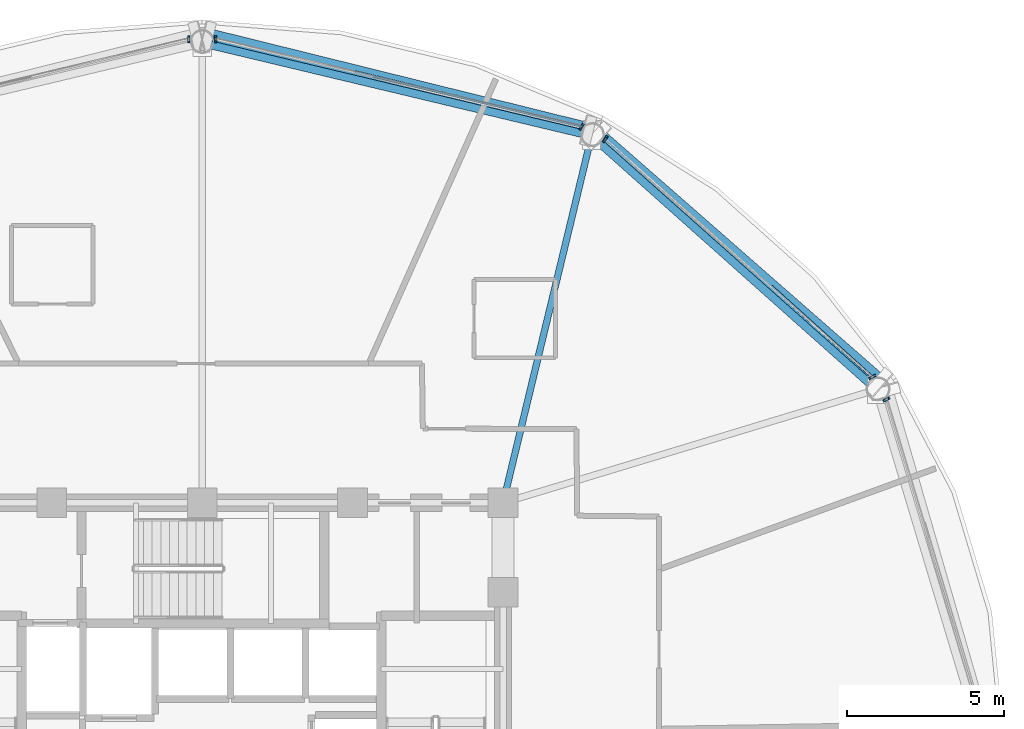
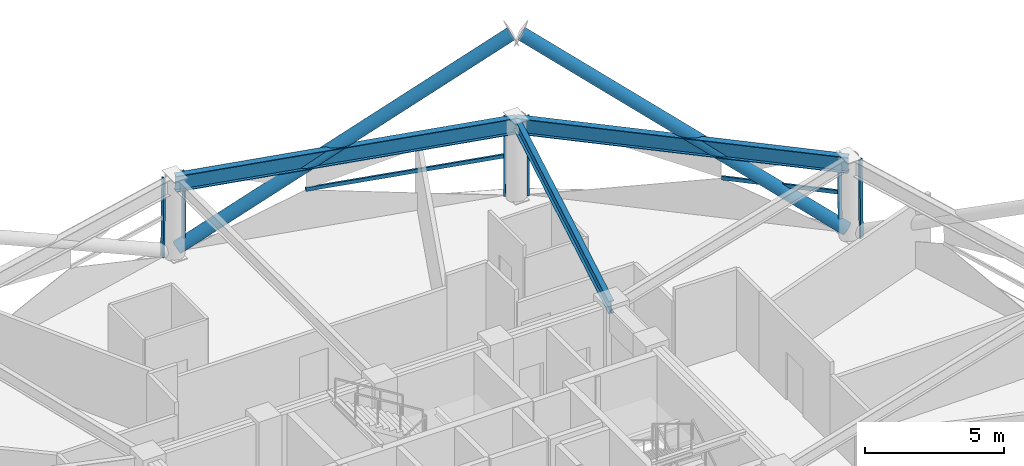
# One storey, part 7 of 17: 10 members, 3 beams, 4 elements without a shape of their own.
"""IFC4 building model written with IfcOpenShell, lengths in metres."""

import ifcopenshell
import ifcopenshell.guid

model = None  # the IFC model being written
_history = None  # IfcOwnerHistory: only IFC2X3 demands one
_inside = {}  # id of a spatial element -> (the spatial element, [elements in it])
_under = {}  # id of a project, library or spatial element -> (it, [spatial elements below it])
_declared = {}  # id of a project -> (the project, [libraries it declares])
_typed = {}  # id of a type object -> (the type object, [elements of that type])
_made_of = {}  # id of a material, layer set ... -> (it, [elements and type objects made of it])


def new_model(schema):
    """Start an empty IFC model of exactly this schema.

    Asked for "IFC4X3", IfcOpenShell would pick the latest addendum, in which some entities
    have other attributes; the version numbers below select the first issue.
    IFC2X3 requires an IfcOwnerHistory on every rooted entity: one is made here for all.
    """
    global model, _history
    if schema == "IFC4X3":
        model = ifcopenshell.file(schema_version=(4, 3, 0, 0))
    else:
        model = ifcopenshell.file(schema=schema)
    _inside.clear()
    _under.clear()
    _declared.clear()
    _typed.clear()
    _made_of.clear()
    _history = None
    if model.schema == "IFC2X3":
        org = make("IfcOrganization", Name="unknown")
        user = make(
            "IfcPersonAndOrganization",
            ThePerson=make("IfcPerson", FamilyName="unknown"),
            TheOrganization=org,
        )
        app = make(
            "IfcApplication",
            ApplicationDeveloper=org,
            Version="unknown",
            ApplicationFullName="unknown",
            ApplicationIdentifier="unknown",
        )
        _history = make(
            "IfcOwnerHistory",
            OwningUser=user,
            OwningApplication=app,
            ChangeAction="ADDED",
            CreationDate=0,
        )
    return model


def make(cls, **values):
    """One entity of the class cls with the attributes given. An attribute that is None is left unset."""
    return model.create_entity(
        cls, **{name: value for name, value in values.items() if value is not None}
    )


def rooted(cls, **values):
    """An entity with a GlobalId (a new one), such as an element, a storey or a relation."""
    return make(cls, GlobalId=ifcopenshell.guid.new(), OwnerHistory=_history, **values)


def si_unit(unit_type, name, prefix=None):
    """IfcSIUnit, for example si_unit("LENGTHUNIT", "METRE", prefix="MILLI")."""
    return make("IfcSIUnit", UnitType=unit_type, Prefix=prefix, Name=name)


def assignment(units):
    """IfcUnitAssignment: the units of a project."""
    return None if units is None else make("IfcUnitAssignment", Units=units)


def point(xyz):
    """IfcCartesianPoint."""
    return None if xyz is None else make("IfcCartesianPoint", Coordinates=xyz)


def direction(xyz):
    """IfcDirection."""
    return None if xyz is None else make("IfcDirection", DirectionRatios=xyz)


def frame(location, z_axis=None, x_axis=None):
    """IfcAxis2Placement3D, a coordinate frame: its origin and axes. An axis left out is left unset."""
    return make(
        "IfcAxis2Placement3D",
        Location=point(location),
        Axis=direction(z_axis),
        RefDirection=direction(x_axis),
    )


def frame_2d(location, x_axis=None):
    """IfcAxis2Placement2D, a coordinate frame in the plane: its origin and x axis."""
    return make(
        "IfcAxis2Placement2D", Location=point(location), RefDirection=direction(x_axis)
    )


def origin():
    """The frame at (0, 0, 0) with its axes left unset."""
    return frame((0.0, 0.0, 0.0))


def origin_2d():
    """The frame at (0, 0) in the plane with its x axis left unset."""
    return frame_2d((0.0, 0.0))


def place(relative_to, where):
    """IfcLocalPlacement: puts the frame where relative to a parent placement (None: the world)."""
    return make(
        "IfcLocalPlacement", PlacementRelTo=relative_to, RelativePlacement=where
    )


def context(
    kind, dimensions, precision=None, world=None, true_north=None, identifier=None
):
    """IfcGeometricRepresentationContext, for example the 3D "Model" context."""
    return make(
        "IfcGeometricRepresentationContext",
        ContextIdentifier=identifier,
        ContextType=kind,
        CoordinateSpaceDimension=dimensions,
        Precision=precision,
        WorldCoordinateSystem=world,
        TrueNorth=true_north,
    )


def subcontext(parent, identifier, kind, view, scale=None):
    """IfcGeometricRepresentationSubContext, for example "Body" below "Model"."""
    return make(
        "IfcGeometricRepresentationSubContext",
        ContextIdentifier=identifier,
        ContextType=kind,
        ParentContext=parent,
        TargetScale=scale,
        TargetView=view,
    )


def project(units=None, contexts=None):
    """IfcProject with its units and contexts."""
    return rooted(
        "IfcProject",
        Name="project",
        RepresentationContexts=contexts,
        UnitsInContext=assignment(units),
    )


def spatial(cls, under=None, at=None, **own):
    """A site, building, storey or space (cls), placed at a placement, below another one or the project."""
    s = rooted(cls, ObjectPlacement=at, **own)
    if under is not None:
        _under.setdefault(under.id(), (under, []))[1].append(s)
    return s


def profile(cls, at=None, kind="AREA", **sizes):
    """A parametric profile (cls). Its sizes go by their IFC names, for example OverallWidth=200.0."""
    return make(cls, ProfileType=kind, Position=at, **sizes)


def hollow_rectangle(**sizes):
    """IfcRectangleHollowProfileDef."""
    return profile("IfcRectangleHollowProfileDef", **sizes)


def hollow_circle(**sizes):
    """IfcCircleHollowProfileDef."""
    return profile("IfcCircleHollowProfileDef", **sizes)


def i_section(**sizes):
    """IfcIShapeProfileDef."""
    return profile("IfcIShapeProfileDef", **sizes)


def extrude(swept, where, along, depth):
    """IfcExtrudedAreaSolid: the profile swept, set in the frame where, extruded along a direction by depth."""
    return make(
        "IfcExtrudedAreaSolid",
        SweptArea=swept,
        Position=where,
        ExtrudedDirection=direction(along),
        Depth=depth,
    )


def shape(context_of_items, identifier, shape_type, items):
    """IfcShapeRepresentation: the items that make up one representation, for example the "Body"."""
    return make(
        "IfcShapeRepresentation",
        ContextOfItems=context_of_items,
        RepresentationIdentifier=identifier,
        RepresentationType=shape_type,
        Items=items,
    )


def material(Name=None, Category=None):
    """IfcMaterial."""
    return make("IfcMaterial", Name=Name, Category=Category)


def layer(
    of_material, thickness, ventilated=None, Name=None, Category=None, Priority=None
):
    """IfcMaterialLayer: one layer of a wall or slab, of a material (None: an air gap)."""
    return make(
        "IfcMaterialLayer",
        Material=of_material,
        LayerThickness=thickness,
        IsVentilated=ventilated,
        Name=Name,
        Category=Category,
        Priority=Priority,
    )


def layer_set(layers, Name=None):
    """IfcMaterialLayerSet."""
    return make("IfcMaterialLayerSet", MaterialLayers=layers, LayerSetName=Name)


def material_profile(
    of_material, cross_section, Name=None, Category=None, Priority=None
):
    """IfcMaterialProfile: a cross section and its material."""
    return make(
        "IfcMaterialProfile",
        Name=Name,
        Material=of_material,
        Profile=cross_section,
        Priority=Priority,
        Category=Category,
    )


def profile_set(profiles, Name=None, composite=None):
    """IfcMaterialProfileSet."""
    return make(
        "IfcMaterialProfileSet",
        Name=Name,
        MaterialProfiles=profiles,
        CompositeProfile=composite,
    )


def made_of(thing, what):
    """Note that an element or type object is made of a material, layer set ...; save() writes the relation."""
    if what is not None:
        _made_of.setdefault(what.id(), (what, []))[1].append(thing)
    return thing


def type_object(cls, material=None, **own):
    """A type object (cls), such as IfcWallType, which elements share."""
    return made_of(rooted(cls, **own), material)


def element(
    cls,
    number,
    at=None,
    inside=None,
    cuts=None,
    type_object=None,
    material=None,
    context=None,
    identifier="Body",
    shape_type=None,
    held_by="IfcProductDefinitionShape",
    body=None,
    shapes=None,
    **own,
):
    """One element of the class cls, such as IfcWall. Its Tag is "e" and its number.

    at: its placement. inside: the storey or other place that contains it. cuts: it is an
    opening in that element (IfcRelVoidsElement). A single representation is given by context,
    identifier, shape_type and body (its items); several are given by shapes. held_by: the class
    of the entity that holds the representations. save() writes the other relations.
    """
    e = rooted(cls, Tag="e%d" % number, ObjectPlacement=at, **own)
    if body is not None:
        shapes = [shape(context, identifier, shape_type, body)]
    if shapes is not None:
        e.Representation = make(held_by, Representations=shapes)
    if inside is not None:
        _inside.setdefault(inside.id(), (inside, []))[1].append(e)
    if cuts is not None:
        rooted(
            "IfcRelVoidsElement", RelatingBuildingElement=cuts, RelatedOpeningElement=e
        )
    if type_object is not None:
        _typed.setdefault(type_object.id(), (type_object, []))[1].append(e)
    return made_of(e, material)


def aggregate(whole, parts):
    """IfcRelAggregates: a whole, such as a stair, and the parts it consists of."""
    return rooted("IfcRelAggregates", RelatingObject=whole, RelatedObjects=parts)


def save(model, path):
    """Write the relations noted so far, then the file.

    IfcRelAggregates (storeys below a building ...), IfcRelContainedInSpatialStructure (elements
    in a storey), IfcRelDefinesByType, IfcRelAssociatesMaterial and IfcRelDeclares: one each for
    every whole, place, type object, material and project.
    """
    for whole, parts in _under.values():
        aggregate(whole, parts)
    for where, things in _inside.values():
        rooted(
            "IfcRelContainedInSpatialStructure",
            RelatedElements=things,
            RelatingStructure=where,
        )
    for kind, things in _typed.values():
        rooted("IfcRelDefinesByType", RelatedObjects=things, RelatingType=kind)
    for what, things in _made_of.values():
        rooted("IfcRelAssociatesMaterial", RelatedObjects=things, RelatingMaterial=what)
    for by, libraries in _declared.values():
        rooted("IfcRelDeclares", RelatingContext=by, RelatedDefinitions=libraries)
    model.write(path)


model = new_model("IFC4")

# Units and contexts
model_context = context("Model", 3, precision=1e-05, world=origin(), true_north=direction((0.0, 1.0)))
body_context = subcontext(model_context, "Body", "Model", "MODEL_VIEW")
ifc_project = project(units=[si_unit("LENGTHUNIT", "METRE"), si_unit("AREAUNIT", "SQUARE_METRE"), si_unit("VOLUMEUNIT", "CUBIC_METRE"), si_unit("PLANEANGLEUNIT", "RADIAN"), si_unit("MASSUNIT", "GRAM", prefix="KILO")], contexts=[model_context])

# Site, building, storey
site_placement = place(None, origin())
site = spatial("IfcSite", under=ifc_project, at=site_placement, CompositionType="ELEMENT")
building_placement = place(site_placement, origin())
building = spatial("IfcBuilding", under=site, at=building_placement, Name="Vantalir Tower", CompositionType="ELEMENT")
storey_placement = place(building_placement, frame((0.0, 0.0, 142.199951171875)))
storey = spatial("IfcBuildingStorey", under=building, at=storey_placement, Name="L35", CompositionType="ELEMENT", Elevation=142.199951171875)

# Beams
ifc_material_1 = material(Name="Steel S355", Category="steel")
ifc_material_profile_1 = material_profile(ifc_material_1, i_section(OverallWidth=0.2109375, OverallDepth=0.5390625, WebThickness=0.01171875, FlangeThickness=0.018798828125, at=origin_2d()), Name="Steel S355")
ifc_profile_set_1 = profile_set([ifc_material_profile_1], Name="Steel S355")
beam_type_1 = type_object("IfcBeamType", Name="BM-RB-533x210", PredefinedType="BEAM", material=ifc_profile_set_1)
beam_1_placement = place(storey_placement, frame((43.923095703125, 44.159912109375, 3.301025390625), z_axis=(-0.234362483267, -0.972149281971, 0.0), x_axis=(0.972149281971, -0.234362483267, 0.0)))
element("IfcBeam", 1, at=beam_1_placement, inside=storey, type_object=beam_type_1, Name="L35 Radial Floor Beam 03", PredefinedType="BEAM", context=body_context, shape_type="SweptSolid", body=[
    extrude(i_section(OverallWidth=0.2109375, OverallDepth=0.5390625, WebThickness=0.01171875, FlangeThickness=0.018798828125, at=origin_2d()), origin(), (0.0, 0.0, 1.0), 12.04541015625),
])
ifc_material_2 = material(Name="Steel S460", Category="steel")
ifc_material_profile_2 = material_profile(ifc_material_2, i_section(OverallWidth=0.256103515625, OverallDepth=0.693115234375, WebThickness=0.014404296875, FlangeThickness=0.023681640625, at=origin_2d()), Name="Steel S460")
ifc_profile_set_2 = profile_set([ifc_material_profile_2], Name="Steel S460")
beam_type_2 = type_object("IfcBeamType", Name="BM-RG-686x254", PredefinedType="USERDEFINED", material=ifc_profile_set_2)
beam_2_placement = place(storey_placement, frame((53.01611328125, 36.06201171875, 3.22412109375), z_axis=(-0.746788388797, 0.665061728232, 0.0), x_axis=(-0.665061728232, -0.746788388797, 0.0)))
element("IfcBeam", 2, at=beam_2_placement, inside=storey, type_object=beam_type_2, Name="L35 Circumferential Ring Girder 02", ObjectType="GIRDER", PredefinedType="USERDEFINED", context=body_context, shape_type="SweptSolid", body=[
    extrude(i_section(OverallWidth=0.256103515625, OverallDepth=0.693115234375, WebThickness=0.014404296875, FlangeThickness=0.023681640625, at=origin_2d()), origin(), (0.0, 0.0, 1.0), 12.17626953125),
])
beam_3_placement = place(storey_placement, frame((43.923095703125, 44.159912109375, 3.22412109375), z_axis=(-0.972696170028, 0.232082228561, 0.0), x_axis=(-0.232082228561, -0.972696170028, 0.0)))
element("IfcBeam", 3, at=beam_3_placement, inside=storey, type_object=beam_type_2, Name="L35 Circumferential Ring Girder 03", ObjectType="GIRDER", PredefinedType="USERDEFINED", context=body_context, shape_type="SweptSolid", body=[
    extrude(i_section(OverallWidth=0.256103515625, OverallDepth=0.693115234375, WebThickness=0.014404296875, FlangeThickness=0.023681640625, at=origin_2d()), origin(), (0.0, 0.0, 1.0), 12.771728515625),
])

# Curtain wall, member
ifc_material_3 = material(Name="Champagne-silver PVDF aluminium and double-silver Low-E glass", Category="aluminium")
ifc_layer = layer(ifc_material_3, 0.199951171875)
ifc_layer_set = layer_set([ifc_layer], Name="Champagne-silver PVDF aluminium and double-silver Low-E glass")
curtain_wall_type = type_object("IfcCurtainWallType", Name="CW-DIAMOND-Z2", PredefinedType="USERDEFINED", material=ifc_layer_set)
curtain_wall_1_placement = place(storey_placement, origin())
curtain_wall_1 = element("IfcCurtainWall", 4, at=curtain_wall_1_placement, inside=storey, type_object=curtain_wall_type, Name="L35 Quilted Pyramid-Diamond Curtain Wall S01", ObjectType="UNITISED CURTAIN WALL", PredefinedType="USERDEFINED")
ifc_material_4 = material(Name="Champagne-silver PVDF aluminium 6063-T6", Category="aluminium")
ifc_material_profile_3 = material_profile(ifc_material_4, hollow_rectangle(XDim=0.074951171875, YDim=0.179931640625, WallThickness=0.00390625, at=origin_2d()), Name="Champagne-silver PVDF aluminium 6063-T6")
ifc_profile_set_3 = profile_set([ifc_material_profile_3], Name="Champagne-silver PVDF aluminium 6063-T6")
member_type_1 = type_object("IfcMemberType", Name="CWM-180x75", PredefinedType="MULLION", material=ifc_profile_set_3)
member_1_placement = place(storey_placement, frame((53.362060546875, 35.763916015625, 0.045166015625), z_axis=(-0.015502060957, -0.007996538231, 0.999847859168), x_axis=(0.458438038271, -0.888726372438, 0.0)))
member_1 = element("IfcMember", 5, at=member_1_placement, type_object=member_type_1, Name="CW-L35-S01 Mullion 2", PredefinedType="MULLION", context=body_context, shape_type="SweptSolid", body=[
    extrude(hollow_rectangle(XDim=0.074951171875, YDim=0.179931640625, WallThickness=0.00390625, at=origin_2d()), origin(), (0.0, 0.0, 1.0), 3.48046875),
])
aggregate(curtain_wall_1, [member_1])

# Curtain wall, members
curtain_wall_2_placement = place(storey_placement, origin())
curtain_wall_2 = element("IfcCurtainWall", 6, at=curtain_wall_2_placement, inside=storey, type_object=curtain_wall_type, Name="L35 Quilted Pyramid-Diamond Curtain Wall S02", ObjectType="UNITISED CURTAIN WALL", PredefinedType="USERDEFINED")
member_2_placement = place(storey_placement, frame((52.906982421875, 36.47802734375, 0.045166015625), z_axis=(-0.015502052223, -0.008066678759, 0.999847295876), x_axis=(0.461605486228, -0.887085325707, 0.0)))
member_2 = element("IfcMember", 7, at=member_2_placement, type_object=member_type_1, Name="CW-L35-S02 Mullion 1", PredefinedType="MULLION", context=body_context, shape_type="SweptSolid", body=[
    extrude(hollow_rectangle(XDim=0.074951171875, YDim=0.179931640625, WallThickness=0.00390625, at=origin_2d()), origin(), (0.0, 0.0, 1.0), 3.48046875),
])
member_3_placement = place(storey_placement, frame((44.376953125, 44.080078125, 0.045166015625), z_axis=(-0.008908540481, -0.014099343596, 0.999860913536), x_axis=(0.845388945684, -0.534151224388, 0.0)))
member_3 = element("IfcMember", 8, at=member_3_placement, type_object=member_type_1, Name="CW-L35-S02 Mullion 2", PredefinedType="MULLION", context=body_context, shape_type="SweptSolid", body=[
    extrude(hollow_rectangle(XDim=0.074951171875, YDim=0.179931640625, WallThickness=0.00390625, at=origin_2d()), origin(), (0.0, 0.0, 1.0), 3.48046875),
])

curtain_wall_3_placement = place(storey_placement, origin())
curtain_wall_3 = element("IfcCurtainWall", 9, at=curtain_wall_3_placement, inside=storey, type_object=curtain_wall_type, Name="L35 Quilted Pyramid-Diamond Curtain Wall S03", ObjectType="UNITISED CURTAIN WALL", PredefinedType="USERDEFINED")
member_4_placement = place(storey_placement, frame((43.62109375, 44.47509765625, 0.045166015625), z_axis=(-0.008908540481, -0.014099343596, 0.999860913536), x_axis=(0.845388945684, -0.534151224388, 0.0)))
member_4 = element("IfcMember", 10, at=member_4_placement, type_object=member_type_1, Name="CW-L35-S03 Mullion 1", PredefinedType="MULLION", context=body_context, shape_type="SweptSolid", body=[
    extrude(hollow_rectangle(XDim=0.074951171875, YDim=0.179931640625, WallThickness=0.00390625, at=origin_2d()), origin(), (0.0, 0.0, 1.0), 3.48046875),
])
member_5_placement = place(storey_placement, frame((31.927978515625, 47.26806640625, 0.045166015625), z_axis=(0.0, -0.016133721334, 0.999869843048), x_axis=(1.0, 0.0, 0.0)))
member_5 = element("IfcMember", 11, at=member_5_placement, type_object=member_type_1, Name="CW-L35-S03 Mullion 2", PredefinedType="MULLION", context=body_context, shape_type="SweptSolid", body=[
    extrude(hollow_rectangle(XDim=0.074951171875, YDim=0.179931640625, WallThickness=0.00390625, at=origin_2d()), origin(), (0.0, 0.0, 1.0), 3.48046875),
])

# Curtain wall, member
curtain_wall_4_placement = place(storey_placement, origin())
curtain_wall_4 = element("IfcCurtainWall", 12, at=curtain_wall_4_placement, inside=storey, type_object=curtain_wall_type, Name="L35 Quilted Pyramid-Diamond Curtain Wall S04", ObjectType="UNITISED CURTAIN WALL", PredefinedType="USERDEFINED")
member_6_placement = place(storey_placement, frame((31.072021484375, 47.26806640625, 0.045166015625), z_axis=(0.0, -0.016133721334, 0.999869843048), x_axis=(1.0, 0.0, 0.0)))
member_6 = element("IfcMember", 13, at=member_6_placement, type_object=member_type_1, Name="CW-L35-S04 Mullion 1", PredefinedType="MULLION", context=body_context, shape_type="SweptSolid", body=[
    extrude(hollow_rectangle(XDim=0.074951171875, YDim=0.179931640625, WallThickness=0.00390625, at=origin_2d()), origin(), (0.0, 0.0, 1.0), 3.48046875),
])
aggregate(curtain_wall_4, [member_6])

# Member
ifc_material_profile_4 = material_profile(ifc_material_4, hollow_rectangle(XDim=0.074951171875, YDim=0.159912109375, WallThickness=0.00390625, at=origin_2d()), Name="Champagne-silver PVDF aluminium 6063-T6")
ifc_profile_set_4 = profile_set([ifc_material_profile_4], Name="Champagne-silver PVDF aluminium 6063-T6")
member_type_2 = type_object("IfcMemberType", Name="CWT-160x75", PredefinedType="USERDEFINED", material=ifc_profile_set_4)
member_7_placement = place(storey_placement, frame((52.8798828125, 36.464111328125, 1.78515625), z_axis=(-0.742845577777, 0.669462805223, 0.0), x_axis=(-0.669462805223, -0.742845577777, 0.0)))
member_7 = element("IfcMember", 14, at=member_7_placement, type_object=member_type_2, Name="CW-L35-S02 Pyramid Fold Ridge Transom", ObjectType="TRANSOM", PredefinedType="USERDEFINED", context=body_context, shape_type="SweptSolid", body=[
    extrude(hollow_rectangle(XDim=0.074951171875, YDim=0.159912109375, WallThickness=0.00390625, at=origin_2d()), origin(), (0.0, 0.0, 1.0), 4.331787109375),
])

aggregate(curtain_wall_2, [member_2, member_3, member_7])

member_8_placement = place(storey_placement, frame((43.60595703125, 44.450927734375, 1.78515625), z_axis=(-0.971910150016, 0.235352204782, 0.0), x_axis=(-0.235352204782, -0.971910150016, 0.0)))
member_8 = element("IfcMember", 15, at=member_8_placement, type_object=member_type_2, Name="CW-L35-S03 Pyramid Fold Ridge Transom", ObjectType="TRANSOM", PredefinedType="USERDEFINED", context=body_context, shape_type="SweptSolid", body=[
    extrude(hollow_rectangle(XDim=0.074951171875, YDim=0.159912109375, WallThickness=0.00390625, at=origin_2d()), origin(), (0.0, 0.0, 1.0), 7.44384765625),
])

aggregate(curtain_wall_3, [member_4, member_5, member_8])

# Members
ifc_material_profile_5 = material_profile(ifc_material_2, hollow_circle(Radius=0.260009765625, WallThickness=0.0380859375, at=origin_2d()), Name="Steel S460")
ifc_profile_set_5 = profile_set([ifc_material_profile_5], Name="Steel S460")
member_type_3 = type_object("IfcMemberType", Name="MEM-DB-520x38", PredefinedType="BRACE", material=ifc_profile_set_5)
member_9_placement = place(storey_placement, frame((53.092041015625, 36.31005859375, 0.191162109375), z_axis=(-0.650262752147, 0.568990979371, 0.50339608517), x_axis=(-0.658511864821, -0.752570344812, 0.0)))
element("IfcMember", 16, at=member_9_placement, inside=storey, type_object=member_type_3, Name="L35 Perimeter S460 Diagrid Brace R04L", PredefinedType="BRACE", context=body_context, shape_type="SweptSolid", body=[
    extrude(hollow_circle(Radius=0.260009765625, WallThickness=0.0380859375, at=origin_2d()), origin(), (0.0, 0.0, 1.0), 13.782470703125),
])
member_10_placement = place(storey_placement, frame((31.68701171875, 47.323974609375, 0.18701171875), z_axis=(0.848125743532, -0.210121165766, 0.486345369933), x_axis=(0.240477434875, 0.970654729199, 0.0)))
element("IfcMember", 17, at=member_10_placement, inside=storey, type_object=member_type_3, Name="L35 Perimeter S460 Diagrid Brace R10R", PredefinedType="BRACE", context=body_context, shape_type="SweptSolid", body=[
    extrude(hollow_circle(Radius=0.260009765625, WallThickness=0.0380859375, at=origin_2d()), origin(), (0.0, 0.0, 1.0), 14.2822265625),
])

save(model, "model.ifc")
